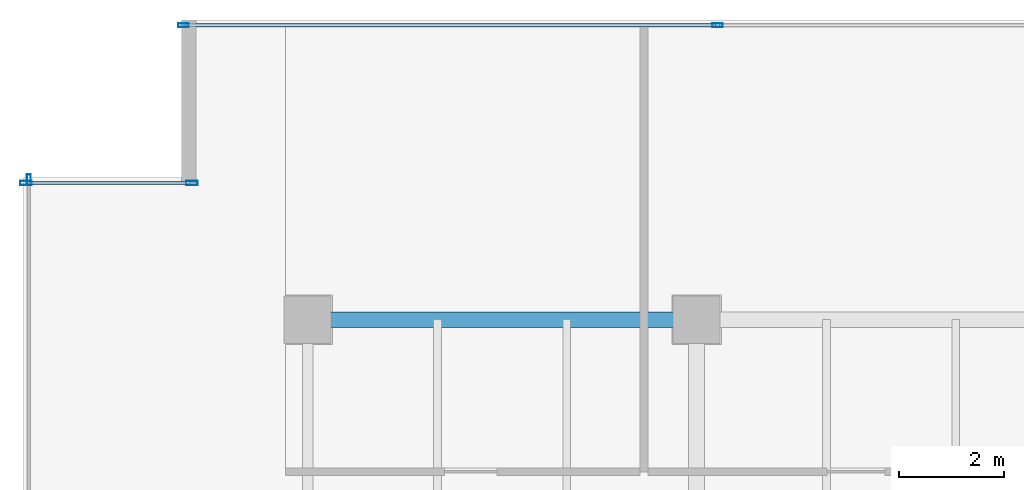
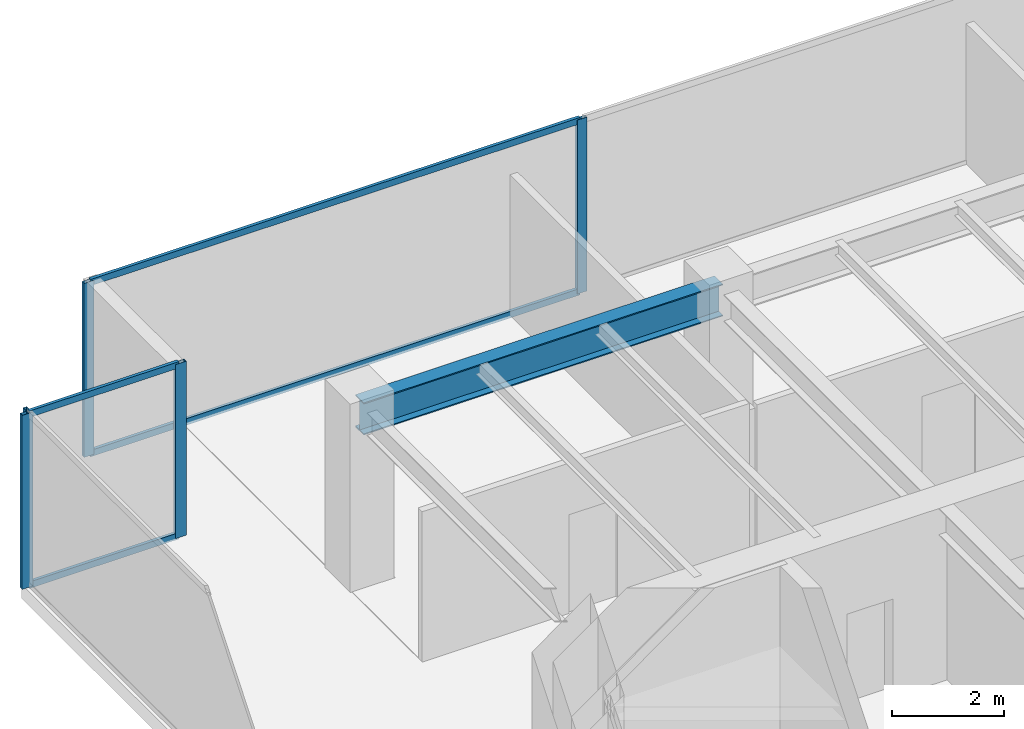
# One storey, part 14 of 33: 9 members, 1 beam, 3 elements without a shape of their own.
"""IFC4 building model written with IfcOpenShell, lengths in metres."""

from ifc_helpers import new_model, si_unit, direction, frame, origin, origin_2d, place, context, subcontext, project, spatial, hollow_rectangle, i_section, extrude, source, transform, mapped, material, layer, layer_set, material_profile, profile_set, type_object, type_shapes, element, aggregate, save


model = new_model("IFC4")

# Units and contexts
model_context = context("Model", 3, precision=1e-05, world=origin(), true_north=direction((0.0, 1.0)))
body_context = subcontext(model_context, "Body", "Model", "MODEL_VIEW")
ifc_project = project(units=[si_unit("LENGTHUNIT", "METRE"), si_unit("AREAUNIT", "SQUARE_METRE"), si_unit("VOLUMEUNIT", "CUBIC_METRE"), si_unit("PLANEANGLEUNIT", "RADIAN"), si_unit("MASSUNIT", "GRAM", prefix="KILO")], contexts=[model_context])

# Site, building, storey
site_placement = place(None, origin())
site = spatial("IfcSite", under=ifc_project, at=site_placement, CompositionType="ELEMENT")
building_placement = place(site_placement, origin())
building = spatial("IfcBuilding", under=site, at=building_placement, Name="Haelvirn Gate Laboratories", CompositionType="ELEMENT")
storey_placement = place(building_placement, frame((0.0, 0.0, 166.60009765625)))
storey = spatial("IfcBuildingStorey", under=building, at=storey_placement, Name="L40", CompositionType="ELEMENT", Elevation=166.60009765625)

# Beam
ifc_material_1 = material(Name="Steel SM355", Category="steel")
ifc_material_profile_1 = material_profile(ifc_material_1, i_section(OverallWidth=0.300048828125, OverallDepth=0.699951171875, WebThickness=0.012939453125, FlangeThickness=0.02392578125, at=origin_2d()), Name="H-700x300x13x24")
ifc_profile_set_1 = profile_set([ifc_material_profile_1], Name="Steel SM355")
beam_type = type_object("IfcBeamType", Name="BM-G-700", PredefinedType="BEAM", material=ifc_profile_set_1)
shared_shape_1 = source(origin(), body_context, "Body", "SweptSolid", [
    extrude(i_section(OverallWidth=0.300048828125, OverallDepth=0.699951171875, WebThickness=0.012939453125, FlangeThickness=0.02392578125, at=origin_2d()), origin(), (0.0, 0.0, 1.0), 7.400146484375),
])
type_shapes(beam_type, [shared_shape_1])
beam_placement = place(storey_placement, frame((7.39990234375, 41.60009765625, 3.43994140625), z_axis=(1.0, 0.0, 0.0), x_axis=(0.0, 1.0, 0.0)))
element("IfcBeam", 1, at=beam_placement, inside=storey, type_object=beam_type, Name="L40 Primary Girder Y41.6 (7.4-14.8)", PredefinedType="BEAM", context=body_context, shape_type="MappedRepresentation", body=[
    mapped(shared_shape_1, transform((0.0, 0.0, 0.0), scale=1.0)),
])

# Curtain wall, members
ifc_material_2 = material(Name="Anodised bronze unitised aluminium & triple low-E glass", Category="aluminium")
ifc_layer_1 = layer(ifc_material_2, 0.179931640625, Name="CW-SYS-3")
ifc_layer_set_1 = layer_set([ifc_layer_1], Name="Anodised bronze unitised aluminium & triple low-E glass")
curtain_wall_type_1 = type_object("IfcCurtainWallType", Name="CW-SYS-3", PredefinedType="NOTDEFINED", material=ifc_layer_set_1)
curtain_wall_1_placement = place(storey_placement, origin())
curtain_wall_1 = element("IfcCurtainWall", 2, at=curtain_wall_1_placement, inside=storey, type_object=curtain_wall_type_1, Name="L40 Unitised Curtain Wall CW-L40-P0-E14-1", PredefinedType="NOTDEFINED")
ifc_material_3 = material(Name="Extruded aluminium 6063-T6 (anodised bronze)", Category="aluminium")
ifc_material_profile_2 = material_profile(ifc_material_3, hollow_rectangle(XDim=0.06494140625, YDim=0.139892578125, WallThickness=0.00390625, at=origin_2d()), Name="CWT-140x65x4")
ifc_profile_set_2 = profile_set([ifc_material_profile_2], Name="Extruded aluminium 6063-T6 (anodised bronze)")
member_type_1 = type_object("IfcMemberType", Name="CWT-T140", PredefinedType="USERDEFINED", material=ifc_profile_set_2)
shared_shape_2 = source(origin(), body_context, "Body", "SweptSolid", [
    extrude(hollow_rectangle(XDim=0.06494140625, YDim=0.139892578125, WallThickness=0.00390625, at=origin_2d()), origin(), (0.0, 0.0, 1.0), 10.087646484375),
])
member_1_placement = place(storey_placement, frame((5.074951171875, 47.199951171875, 0.032470703125), z_axis=(1.0, 0.0, 0.0), x_axis=(0.0, 1.0, 0.0)))
member_1 = element("IfcMember", 3, at=member_1_placement, type_object=member_type_1, Name="CW3 transom 1.1", ObjectType="TRANSOM", PredefinedType="USERDEFINED", context=body_context, shape_type="MappedRepresentation", body=[
    mapped(shared_shape_2, transform((0.0, 0.0, 0.0), scale=1.0)),
])
member_2_placement = place(storey_placement, frame((5.074951171875, 47.199951171875, 3.75732421875), z_axis=(1.0, 0.0, 0.0), x_axis=(0.0, 1.0, 0.0)))
member_2 = element("IfcMember", 4, at=member_2_placement, type_object=member_type_1, Name="CW3 transom 1.2", ObjectType="TRANSOM", PredefinedType="USERDEFINED", context=body_context, shape_type="MappedRepresentation", body=[
    mapped(shared_shape_2, transform((0.0, 0.0, 0.0), scale=1.0)),
])

ifc_layer_2 = layer(ifc_material_2, 0.181884765625, Name="CW-SYS-5")
ifc_layer_set_2 = layer_set([ifc_layer_2], Name="Anodised bronze unitised aluminium & triple low-E glass")
curtain_wall_type_2 = type_object("IfcCurtainWallType", Name="CW-SYS-5", PredefinedType="NOTDEFINED", material=ifc_layer_set_2)
curtain_wall_2_placement = place(storey_placement, origin())
curtain_wall_2 = element("IfcCurtainWall", 5, at=curtain_wall_2_placement, inside=storey, type_object=curtain_wall_type_2, Name="L40 Unitised Curtain Wall CW-L40-P0-E16-1", PredefinedType="NOTDEFINED")
shared_shape_3 = source(origin(), body_context, "Body", "SweptSolid", [
    extrude(hollow_rectangle(XDim=0.06494140625, YDim=0.139892578125, WallThickness=0.00390625, at=origin_2d()), origin(), (0.0, 0.0, 1.0), 3.079833984375),
])
type_shapes(member_type_1, [shared_shape_2, shared_shape_3])
member_3_placement = place(storey_placement, frame((2.080078125, 44.199951171875, 0.032470703125), z_axis=(1.0, 0.0, 0.0), x_axis=(0.0, 1.0, 0.0)))
member_3 = element("IfcMember", 6, at=member_3_placement, type_object=member_type_1, Name="CW5 transom 1.1", ObjectType="TRANSOM", PredefinedType="USERDEFINED", context=body_context, shape_type="MappedRepresentation", body=[
    mapped(shared_shape_3, transform((0.0, 0.0, 0.0), scale=1.0)),
])
member_4_placement = place(storey_placement, frame((2.080078125, 44.199951171875, 3.75732421875), z_axis=(1.0, 0.0, 0.0), x_axis=(0.0, 1.0, 0.0)))
member_4 = element("IfcMember", 7, at=member_4_placement, type_object=member_type_1, Name="CW5 transom 1.2", ObjectType="TRANSOM", PredefinedType="USERDEFINED", context=body_context, shape_type="MappedRepresentation", body=[
    mapped(shared_shape_3, transform((0.0, 0.0, 0.0), scale=1.0)),
])

# Member
ifc_material_profile_3 = material_profile(ifc_material_3, hollow_rectangle(XDim=0.074951171875, YDim=0.199951171875, WallThickness=0.0048828125, at=origin_2d()), Name="CWM-200x75x5")
ifc_profile_set_3 = profile_set([ifc_material_profile_3], Name="Extruded aluminium 6063-T6 (anodised bronze)")
member_type_2 = type_object("IfcMemberType", Name="CWM-T200", PredefinedType="MULLION", material=ifc_profile_set_3)
shared_shape_4 = source(origin(), body_context, "Body", "SweptSolid", [
    extrude(hollow_rectangle(XDim=0.074951171875, YDim=0.199951171875, WallThickness=0.0048828125, at=origin_2d()), origin(), (0.0, 0.0, 1.0), 3.789794921875),
])
type_shapes(member_type_2, [shared_shape_4])
member_5_placement = place(storey_placement, frame((5.03759765625, 47.199951171875, 0.0), z_axis=(0.0, 0.0, 1.0), x_axis=(0.0, 1.0, 0.0)))
member_5 = element("IfcMember", 8, at=member_5_placement, type_object=member_type_2, Name="CW3 mullion 1", PredefinedType="MULLION", context=body_context, shape_type="MappedRepresentation", body=[
    mapped(shared_shape_4, transform((0.0, 0.0, 0.0), scale=1.0)),
])

member_6_placement = place(storey_placement, frame((15.199951171875, 47.199951171875, 0.0), z_axis=(0.0, 0.0, 1.0), x_axis=(0.0, 1.0, 0.0)))
member_6 = element("IfcMember", 9, at=member_6_placement, type_object=member_type_2, Name="CW3 mullion 2", PredefinedType="MULLION", context=body_context, shape_type="MappedRepresentation", body=[
    mapped(shared_shape_4, transform((0.0, 0.0, 0.0), scale=1.0)),
])

aggregate(curtain_wall_1, [member_5, member_6, member_1, member_2])

# Curtain wall, member
curtain_wall_3_placement = place(storey_placement, origin())
curtain_wall_3 = element("IfcCurtainWall", 10, at=curtain_wall_3_placement, inside=storey, type_object=curtain_wall_type_1, Name="L40 Unitised Curtain Wall CW-L40-P0-E17", PredefinedType="NOTDEFINED")
member_7_placement = place(storey_placement, frame((2.10009765625, 44.262451171875, 0.0), z_axis=(0.0, 0.0, 1.0), x_axis=(1.0, 0.0, 0.0)))
member_7 = element("IfcMember", 11, at=member_7_placement, type_object=member_type_2, Name="CW3 mullion 1", PredefinedType="MULLION", context=body_context, shape_type="MappedRepresentation", body=[
    mapped(shared_shape_4, transform((0.0, 0.0, 0.0), scale=1.0)),
])
aggregate(curtain_wall_3, [member_7])

# Member
ifc_material_profile_4 = material_profile(ifc_material_3, hollow_rectangle(XDim=0.080078125, YDim=0.219970703125, WallThickness=0.006103515625, at=origin_2d()), Name="CWM-220x80x6")
ifc_profile_set_4 = profile_set([ifc_material_profile_4], Name="Extruded aluminium 6063-T6 (anodised bronze)")
member_type_3 = type_object("IfcMemberType", Name="CWM-T220", PredefinedType="MULLION", material=ifc_profile_set_4)
shared_shape_5 = source(origin(), body_context, "Body", "SweptSolid", [
    extrude(hollow_rectangle(XDim=0.080078125, YDim=0.219970703125, WallThickness=0.006103515625, at=origin_2d()), origin(), (0.0, 0.0, 1.0), 3.789794921875),
])
type_shapes(member_type_3, [shared_shape_5])
member_8_placement = place(storey_placement, frame((2.0400390625, 44.199951171875, 0.0), z_axis=(0.0, 0.0, 1.0), x_axis=(0.0, 1.0, 0.0)))
member_8 = element("IfcMember", 12, at=member_8_placement, type_object=member_type_3, Name="CW5 mullion 1", PredefinedType="MULLION", context=body_context, shape_type="MappedRepresentation", body=[
    mapped(shared_shape_5, transform((0.0, 0.0, 0.0), scale=1.0)),
])

member_9_placement = place(storey_placement, frame((5.199951171875, 44.199951171875, 0.0), z_axis=(0.0, 0.0, 1.0), x_axis=(0.0, 1.0, 0.0)))
member_9 = element("IfcMember", 13, at=member_9_placement, type_object=member_type_3, Name="CW5 mullion 2", PredefinedType="MULLION", context=body_context, shape_type="MappedRepresentation", body=[
    mapped(shared_shape_5, transform((0.0, 0.0, 0.0), scale=1.0)),
])

aggregate(curtain_wall_2, [member_8, member_9, member_3, member_4])

save(model, "model.ifc")
